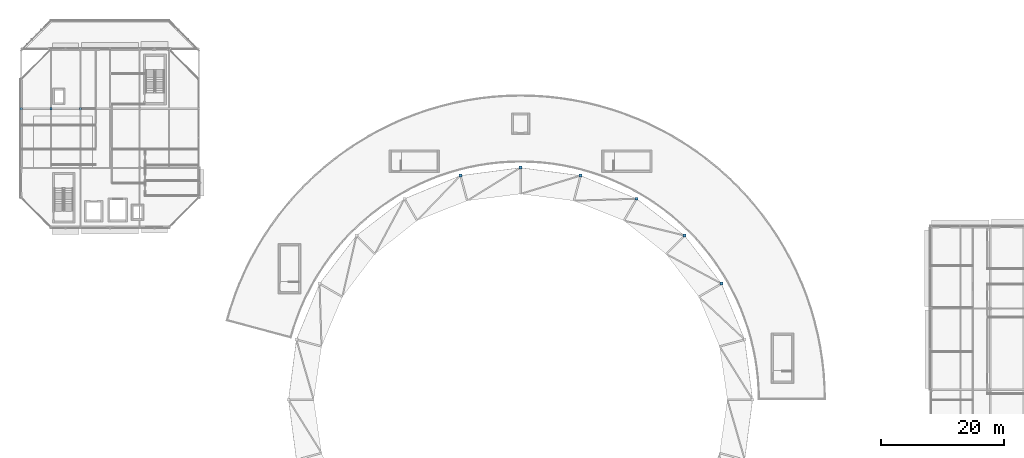
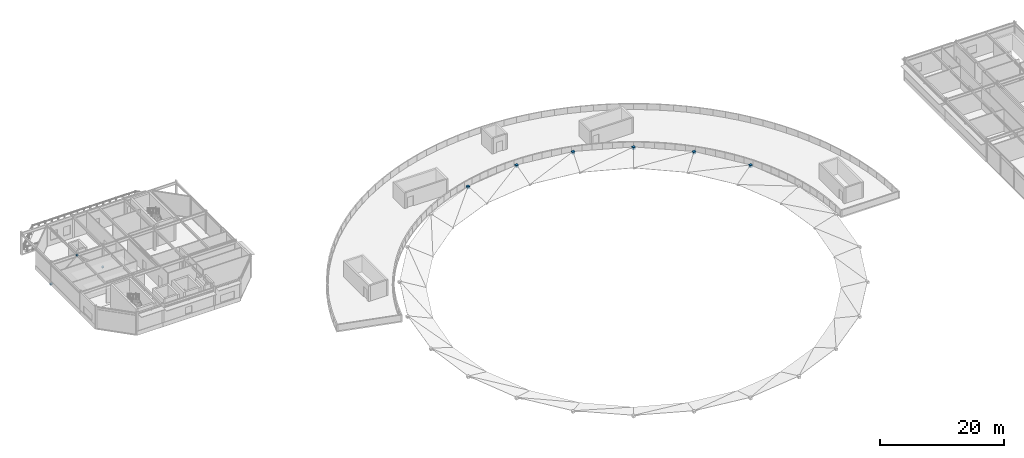
# One storey, part 28 of 50: 9 plates.
"""IFC4 building model written with IfcOpenShell, lengths in metres."""

from ifc_helpers import new_model, si_unit, direction, frame, origin, origin_2d, place, context, subcontext, project, spatial, rectangle, extrude, material, layer, layer_set, type_object, element, save


model = new_model("IFC4")

# Units and contexts
model_context = context("Model", 3, precision=1e-05, world=origin(), true_north=direction((0.0, 1.0)))
body_context = subcontext(model_context, "Body", "Model", "MODEL_VIEW")
ifc_project = project(units=[si_unit("LENGTHUNIT", "METRE"), si_unit("AREAUNIT", "SQUARE_METRE"), si_unit("VOLUMEUNIT", "CUBIC_METRE"), si_unit("PLANEANGLEUNIT", "RADIAN"), si_unit("MASSUNIT", "GRAM", prefix="KILO")], contexts=[model_context])

# Site, building, storey
site_placement = place(None, origin())
site = spatial("IfcSite", under=ifc_project, at=site_placement, CompositionType="ELEMENT")
building_placement = place(site_placement, origin())
building = spatial("IfcBuilding", under=site, at=building_placement, Name="Almandine Court Research Institute", CompositionType="ELEMENT")
storey_placement = place(building_placement, frame((0.0, 0.0, 23.449951171875)))
storey = spatial("IfcBuildingStorey", under=building, at=storey_placement, Name="L05", CompositionType="ELEMENT", Elevation=23.449951171875)

# Plates
ifc_material = material(Name="Steel ASTM A36", Category="steel")
ifc_layer_1 = layer(ifc_material, 0.43994140625)
ifc_layer_set_1 = layer_set([ifc_layer_1], Name="Steel ASTM A36")
plate_type_1 = type_object("IfcPlateType", Name="Plate-NP-04", PredefinedType="SHEET", material=ifc_layer_set_1)
for number, where, z_axis, x_axis, name in (
    (1, (119.60595703125, 74.824951171875, 0.47998046875), (0.0, 0.0, 1.0), (1.0, 0.0, 0.0), "Atrium Conical Gridshell Welded Star Node R0-S02"),
    (2, (113.623046875, 82.623046875, 0.47998046875), (0.0, 0.0, 1.0), (1.0, 0.0, 0.0), "Atrium Conical Gridshell Welded Star Node R0-S03"),
    (3, (105.824951171875, 88.60595703125, 0.47998046875), (0.0, 0.0, 1.0), (1.0, 0.0, 0.0), "Atrium Conical Gridshell Welded Star Node R0-S04"),
    (4, (96.7451171875, 92.366943359375, 0.47998046875), (0.0, 0.0, 1.0), (1.0, 0.0, 0.0), "Atrium Conical Gridshell Welded Star Node R0-S05"),
    (5, (87.0, 93.64990234375, 0.47998046875), (0.0, 0.0, 1.0), (1.0, 0.0, 0.0), "Atrium Conical Gridshell Welded Star Node R0-S06"),
    (6, (77.2548828125, 92.366943359375, 0.47998046875), (0.0, 0.0, 1.0), (1.0, 0.0, 0.0), "Atrium Conical Gridshell Welded Star Node R0-S07"),
):
    element("IfcPlate", number, at=place(storey_placement, frame(where, z_axis=z_axis, x_axis=x_axis)), inside=storey, type_object=plate_type_1, Name=name, PredefinedType="SHEET", context=body_context, shape_type="SweptSolid", body=[
        extrude(rectangle(XDim=0.47998046875, YDim=0.47998046875, at=origin_2d()), origin(), (0.0, 0.0, 1.0), 0.43994140625),
    ])
ifc_layer_2 = layer(ifc_material, 0.280029296875)
ifc_layer_set_2 = layer_set([ifc_layer_2], Name="Steel ASTM A36")
plate_type_2 = type_object("IfcPlateType", Name="Plate-NPI-03", PredefinedType="SHEET", material=ifc_layer_set_2)
for number, where, z_axis, x_axis, name in (
    (7, (6.0, 103.199951171875, -0.1201171875), (0.0, 0.0, 1.0), (1.0, 0.0, 0.0), "L05 Seismic Brace Gusset Cap Plate V3-BF1-BL"),
    (8, (15.60009765625, 103.199951171875, -0.1201171875), (0.0, 0.0, 1.0), (1.0, 0.0, 0.0), "L05 Seismic Brace Gusset Cap Plate V3-BF1-BR"),
    (9, (10.800048828125, 103.199951171875, 3.91015625), (0.0, 0.0, 1.0), (1.0, 0.0, 0.0), "L05 Seismic Brace Gusset Cap Plate V3-BF1-AP"),
):
    element("IfcPlate", number, at=place(storey_placement, frame(where, z_axis=z_axis, x_axis=x_axis)), inside=storey, type_object=plate_type_2, Name=name, PredefinedType="SHEET", context=body_context, shape_type="SweptSolid", body=[
        extrude(rectangle(XDim=0.340087890625, YDim=0.340087890625, at=origin_2d()), origin(), (0.0, 0.0, 1.0), 0.280029296875),
    ])

save(model, "model.ifc")
